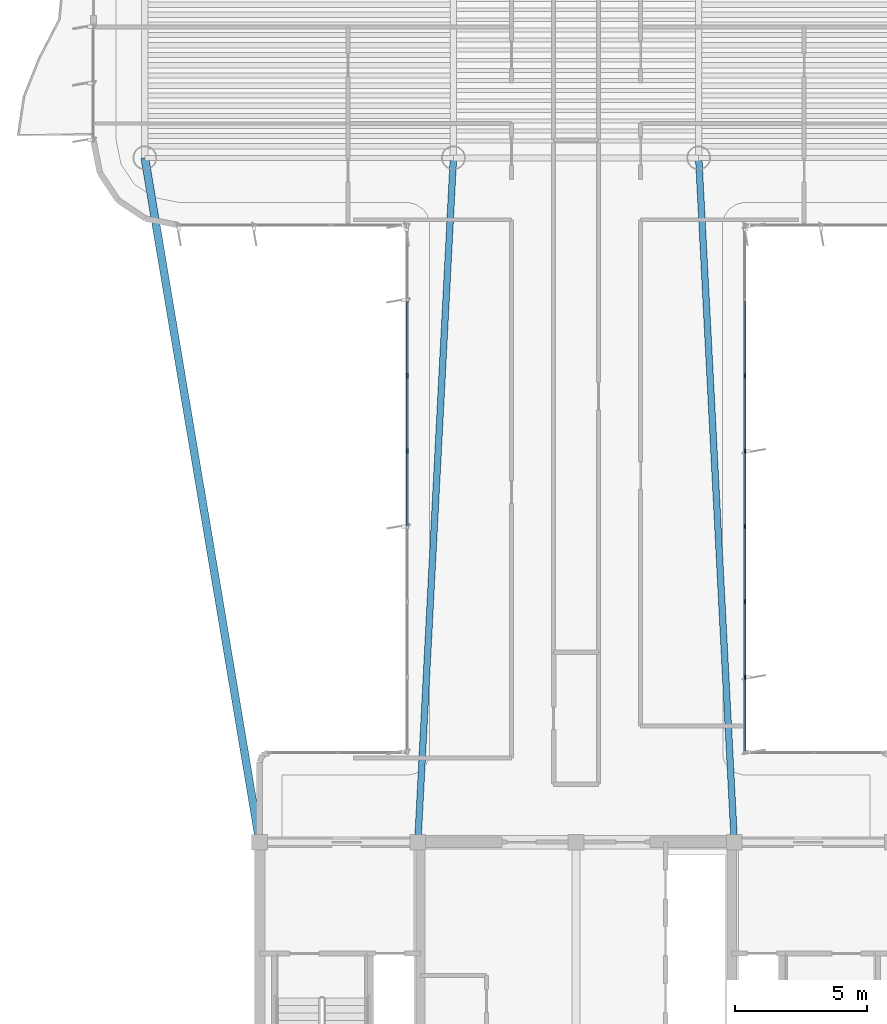
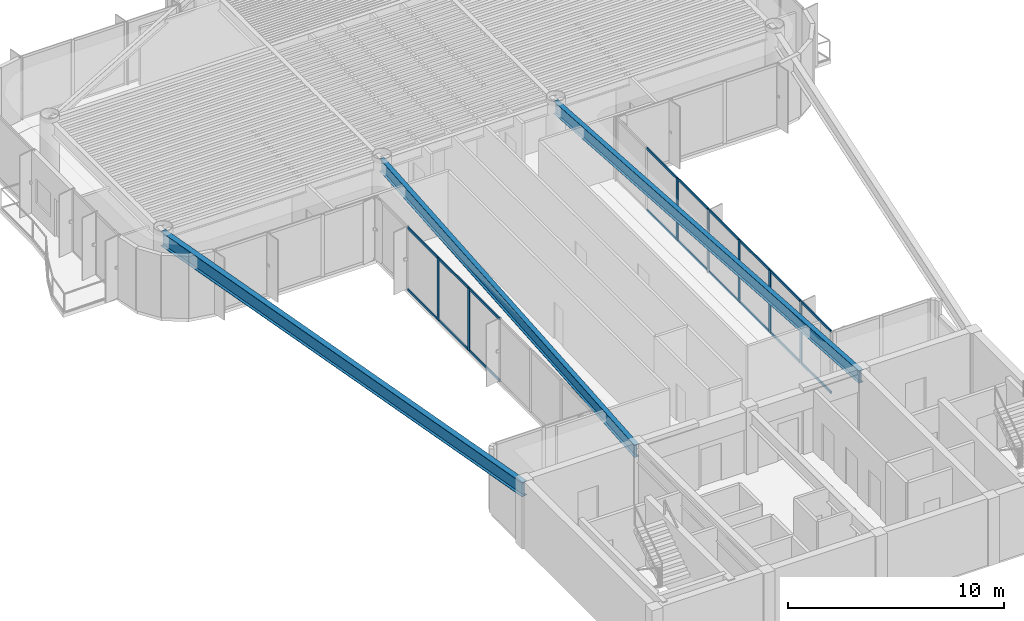
# One storey, part 3 of 15: 25 members, 3 beams, 2 elements without a shape of their own.
"""IFC4 building model written with IfcOpenShell, lengths in metres."""

from ifc_helpers import new_model, si_unit, direction, frame, origin, origin_2d, place, context, subcontext, project, spatial, rectangle, i_section, extrude, source, transform, mapped, material, layer, layer_set, material_profile, profile_set, type_object, element, aggregate, save


model = new_model("IFC4")

# Units and contexts
model_context = context("Model", 3, precision=1e-05, world=origin(), true_north=direction((0.0, 1.0)))
body_context = subcontext(model_context, "Body", "Model", "MODEL_VIEW")
ifc_project = project(units=[si_unit("LENGTHUNIT", "METRE"), si_unit("AREAUNIT", "SQUARE_METRE"), si_unit("VOLUMEUNIT", "CUBIC_METRE"), si_unit("PLANEANGLEUNIT", "RADIAN"), si_unit("MASSUNIT", "GRAM", prefix="KILO")], contexts=[model_context])

# Site, building, storey
site_placement = place(None, origin())
site = spatial("IfcSite", under=ifc_project, at=site_placement, CompositionType="ELEMENT")
building_placement = place(site_placement, origin())
building = spatial("IfcBuilding", under=site, at=building_placement, Name="Brelvock Crest Care Tower", CompositionType="ELEMENT")
storey_placement = place(building_placement, frame((0.0, 0.0, 241.919921875)))
storey = spatial("IfcBuildingStorey", under=building, at=storey_placement, Name="L61", CompositionType="ELEMENT", Elevation=241.919921875)

# Beams
ifc_material_1 = material(Name="Steel Grade 350", Category="steel")
ifc_material_profile_1 = material_profile(ifc_material_1, i_section(OverallWidth=0.25, OverallDepth=0.699951171875, WebThickness=0.011962890625, FlangeThickness=0.02001953125, at=origin_2d()), Name="700WB150")
ifc_profile_set_1 = profile_set([ifc_material_profile_1], Name="Steel Grade 350")
beam_type_1 = type_object("IfcBeamType", Name="BM-G4", PredefinedType="BEAM", material=ifc_profile_set_1)
shared_shape_1 = source(origin(), body_context, "Body", "SweptSolid", [
    extrude(i_section(OverallWidth=0.25, OverallDepth=0.699951171875, WebThickness=0.011962890625, FlangeThickness=0.02001953125, at=origin_2d()), origin(), (0.0, 0.0, 1.0), 25.985107421875),
])
for number, where, z_axis, x_axis, name in (
    (1, (30.0, 18.0, 3.18017578125), (0.051956711656, 0.998649337913, 0.0), (-0.998649337913, 0.051956711656, 0.0), "BM-THRW-L61"),
    (2, (42.0, 18.0, 3.18017578125), (-0.051956711656, 0.998649337913, 0.0), (-0.998649337913, -0.051956711656, 0.0), "BM-THRE-L61"),
):
    element("IfcBeam", number, at=place(storey_placement, frame(where, z_axis=z_axis, x_axis=x_axis)), inside=storey, type_object=beam_type_1, Name=name, PredefinedType="BEAM", context=body_context, shape_type="MappedRepresentation", body=[
        mapped(shared_shape_1, transform((0.0, 0.0, 0.0), x_axis=(1.0, 0.0, 0.0), y_axis=(0.0, 1.0, 0.0), z_axis=(0.0, 0.0, 1.0), scale=1.0)),
    ])
ifc_material_profile_2 = material_profile(ifc_material_1, i_section(OverallWidth=0.300048828125, OverallDepth=0.800048828125, WebThickness=0.013916015625, FlangeThickness=0.02197265625, at=origin_2d()), Name="800WB192")
ifc_profile_set_2 = profile_set([ifc_material_profile_2], Name="Steel Grade 350")
beam_type_2 = type_object("IfcBeamType", Name="BM-G5", PredefinedType="BEAM", material=ifc_profile_set_2)
shared_shape_2 = source(origin(), body_context, "Body", "SweptSolid", [
    extrude(i_section(OverallWidth=0.300048828125, OverallDepth=0.800048828125, WebThickness=0.013916015625, FlangeThickness=0.02197265625, at=origin_2d()), origin(), (0.0, 0.0, 1.0), 26.31201171875),
])
beam_placement = place(storey_placement, frame((24.0, 18.0, 3.130126953125), z_axis=(-0.165327282709, 0.986238758918, 0.0), x_axis=(-0.986238758918, -0.165327282709, 0.0)))
element("IfcBeam", 3, at=beam_placement, inside=storey, type_object=beam_type_2, Name="BM-THRO-W-L61", PredefinedType="BEAM", context=body_context, shape_type="MappedRepresentation", body=[
    mapped(shared_shape_2, transform((0.0, 0.0, 0.0), x_axis=(1.0, 0.0, 0.0), y_axis=(0.0, 1.0, 0.0), z_axis=(0.0, 0.0, 1.0), scale=1.0)),
])

# Curtain wall, members
ifc_material_2 = material(Name="Dark Glass Double Glazed Low-E", Category="glass")
ifc_layer = layer(ifc_material_2, 0.239990234375, Name="CWS-5")
ifc_layer_set = layer_set([ifc_layer], Name="Dark Glass Double Glazed Low-E")
curtain_wall_type = type_object("IfcCurtainWallType", Name="CWS-5", PredefinedType="NOTDEFINED", material=ifc_layer_set)
curtain_wall_1_placement = place(storey_placement, origin())
curtain_wall_1 = element("IfcCurtainWall", 4, at=curtain_wall_1_placement, inside=storey, type_object=curtain_wall_type, Name="L61 Curtain Wall E11", PredefinedType="NOTDEFINED")
ifc_material_3 = material(Name="Aluminium 6063-T6", Category="aluminium")
ifc_material_profile_3 = material_profile(ifc_material_3, rectangle(XDim=0.06005859375, YDim=0.179931640625, at=origin_2d()), Name="ALU60x180")
ifc_profile_set_3 = profile_set([ifc_material_profile_3], Name="Aluminium 6063-T6")
member_type_1 = type_object("IfcMemberType", Name="CWM-2", PredefinedType="MULLION", material=ifc_profile_set_3)
shared_shape_3 = source(origin(), body_context, "Body", "SweptSolid", [
    extrude(rectangle(XDim=0.06005859375, YDim=0.179931640625, at=origin_2d()), origin(), (0.0, 0.0, 1.0), 3.530029296875),
])
member_1_placement = place(storey_placement, frame((29.60009765625, 32.82861328125, 0.0), z_axis=(0.0, 0.0, 1.0), x_axis=(-1.0, 0.0, 0.0)))
member_1 = element("IfcMember", 5, at=member_1_placement, type_object=member_type_1, Name="CW-5 mullion 5", PredefinedType="MULLION", context=body_context, shape_type="MappedRepresentation", body=[
    mapped(shared_shape_3, transform((0.0, 0.0, 0.0), x_axis=(1.0, 0.0, 0.0), y_axis=(0.0, 1.0, 0.0), z_axis=(0.0, 0.0, 1.0), scale=1.0)),
])
member_2_placement = place(storey_placement, frame((29.60009765625, 35.685791015625, 0.0), z_axis=(0.0, 0.0, 1.0), x_axis=(-1.0, 0.0, 0.0)))
member_2 = element("IfcMember", 6, at=member_2_placement, type_object=member_type_1, Name="CW-5 mullion 6", PredefinedType="MULLION", context=body_context, shape_type="MappedRepresentation", body=[
    mapped(shared_shape_3, transform((0.0, 0.0, 0.0), x_axis=(1.0, 0.0, 0.0), y_axis=(0.0, 1.0, 0.0), z_axis=(0.0, 0.0, 1.0), scale=1.0)),
])

curtain_wall_2_placement = place(storey_placement, origin())
curtain_wall_2 = element("IfcCurtainWall", 7, at=curtain_wall_2_placement, inside=storey, type_object=curtain_wall_type, Name="L61 Curtain Wall E45", PredefinedType="NOTDEFINED")
member_3_placement = place(storey_placement, frame((42.39990234375, 35.685791015625, 0.0), z_axis=(0.0, 0.0, 1.0), x_axis=(1.0, 0.0, 0.0)))
member_3 = element("IfcMember", 8, at=member_3_placement, type_object=member_type_1, Name="CW-5 mullion 3", PredefinedType="MULLION", context=body_context, shape_type="MappedRepresentation", body=[
    mapped(shared_shape_3, transform((0.0, 0.0, 0.0), x_axis=(1.0, 0.0, 0.0), y_axis=(0.0, 1.0, 0.0), z_axis=(0.0, 0.0, 1.0), scale=1.0)),
])
member_4_placement = place(storey_placement, frame((42.39990234375, 32.82861328125, 0.0), z_axis=(0.0, 0.0, 1.0), x_axis=(1.0, 0.0, 0.0)))
member_4 = element("IfcMember", 9, at=member_4_placement, type_object=member_type_1, Name="CW-5 mullion 4", PredefinedType="MULLION", context=body_context, shape_type="MappedRepresentation", body=[
    mapped(shared_shape_3, transform((0.0, 0.0, 0.0), x_axis=(1.0, 0.0, 0.0), y_axis=(0.0, 1.0, 0.0), z_axis=(0.0, 0.0, 1.0), scale=1.0)),
])
member_5_placement = place(storey_placement, frame((42.39990234375, 29.971435546875, 0.0), z_axis=(0.0, 0.0, 1.0), x_axis=(1.0, 0.0, 0.0)))
member_5 = element("IfcMember", 10, at=member_5_placement, type_object=member_type_1, Name="CW-5 mullion 5", PredefinedType="MULLION", context=body_context, shape_type="MappedRepresentation", body=[
    mapped(shared_shape_3, transform((0.0, 0.0, 0.0), x_axis=(1.0, 0.0, 0.0), y_axis=(0.0, 1.0, 0.0), z_axis=(0.0, 0.0, 1.0), scale=1.0)),
])
member_6_placement = place(storey_placement, frame((42.39990234375, 27.1142578125, 0.0), z_axis=(0.0, 0.0, 1.0), x_axis=(1.0, 0.0, 0.0)))
member_6 = element("IfcMember", 11, at=member_6_placement, type_object=member_type_1, Name="CW-5 mullion 6", PredefinedType="MULLION", context=body_context, shape_type="MappedRepresentation", body=[
    mapped(shared_shape_3, transform((0.0, 0.0, 0.0), x_axis=(1.0, 0.0, 0.0), y_axis=(0.0, 1.0, 0.0), z_axis=(0.0, 0.0, 1.0), scale=1.0)),
])
member_7_placement = place(storey_placement, frame((42.39990234375, 24.257080078125, 0.0), z_axis=(0.0, 0.0, 1.0), x_axis=(1.0, 0.0, 0.0)))
member_7 = element("IfcMember", 12, at=member_7_placement, type_object=member_type_1, Name="CW-5 mullion 7", PredefinedType="MULLION", context=body_context, shape_type="MappedRepresentation", body=[
    mapped(shared_shape_3, transform((0.0, 0.0, 0.0), x_axis=(1.0, 0.0, 0.0), y_axis=(0.0, 1.0, 0.0), z_axis=(0.0, 0.0, 1.0), scale=1.0)),
])
ifc_material_profile_4 = material_profile(ifc_material_3, rectangle(XDim=0.06005859375, YDim=0.139892578125, at=origin_2d()), Name="ALU60x140")
ifc_profile_set_4 = profile_set([ifc_material_profile_4], Name="Aluminium 6063-T6")
member_type_2 = type_object("IfcMemberType", Name="CWT-2", PredefinedType="USERDEFINED", material=ifc_profile_set_4)
shared_shape_4 = source(origin(), body_context, "Body", "SweptSolid", [
    extrude(rectangle(XDim=0.06005859375, YDim=0.139892578125, at=origin_2d()), origin(), (0.0, 0.0, 1.0), 2.76708984375),
])
member_8_placement = place(storey_placement, frame((42.39990234375, 24.22705078125, 0.030029296875), z_axis=(0.0, -1.0, 0.0), x_axis=(1.0, 0.0, 0.0)))
member_8 = element("IfcMember", 13, at=member_8_placement, type_object=member_type_2, Name="CW-5 transom 7.1", ObjectType="TRANSOM", PredefinedType="USERDEFINED", context=body_context, shape_type="MappedRepresentation", body=[
    mapped(shared_shape_4, transform((0.0, 0.0, 0.0), x_axis=(1.0, 0.0, 0.0), y_axis=(0.0, 1.0, 0.0), z_axis=(0.0, 0.0, 1.0), scale=1.0)),
])
member_9_placement = place(storey_placement, frame((42.39990234375, 24.22705078125, 3.5), z_axis=(0.0, -1.0, 0.0), x_axis=(1.0, 0.0, 0.0)))
member_9 = element("IfcMember", 14, at=member_9_placement, type_object=member_type_2, Name="CW-5 transom 7.2", ObjectType="TRANSOM", PredefinedType="USERDEFINED", context=body_context, shape_type="MappedRepresentation", body=[
    mapped(shared_shape_4, transform((0.0, 0.0, 0.0), x_axis=(1.0, 0.0, 0.0), y_axis=(0.0, 1.0, 0.0), z_axis=(0.0, 0.0, 1.0), scale=1.0)),
])

# Member
shared_shape_5 = source(origin(), body_context, "Body", "SweptSolid", [
    extrude(rectangle(XDim=0.06005859375, YDim=0.139892578125, at=origin_2d()), origin(), (0.0, 0.0, 1.0), 2.797119140625),
])
member_10_placement = place(storey_placement, frame((29.60009765625, 30.00146484375, 0.030029296875), z_axis=(0.0, 1.0, 0.0), x_axis=(-1.0, 0.0, 0.0)))
member_10 = element("IfcMember", 15, at=member_10_placement, type_object=member_type_2, Name="CW-5 transom 4.1", ObjectType="TRANSOM", PredefinedType="USERDEFINED", context=body_context, shape_type="MappedRepresentation", body=[
    mapped(shared_shape_5, transform((0.0, 0.0, 0.0), x_axis=(1.0, 0.0, 0.0), y_axis=(0.0, 1.0, 0.0), z_axis=(0.0, 0.0, 1.0), scale=1.0)),
])

member_11_placement = place(storey_placement, frame((29.60009765625, 30.00146484375, 3.5), z_axis=(0.0, 1.0, 0.0), x_axis=(-1.0, 0.0, 0.0)))
member_11 = element("IfcMember", 16, at=member_11_placement, type_object=member_type_2, Name="CW-5 transom 4.2", ObjectType="TRANSOM", PredefinedType="USERDEFINED", context=body_context, shape_type="MappedRepresentation", body=[
    mapped(shared_shape_5, transform((0.0, 0.0, 0.0), x_axis=(1.0, 0.0, 0.0), y_axis=(0.0, 1.0, 0.0), z_axis=(0.0, 0.0, 1.0), scale=1.0)),
])

member_12_placement = place(storey_placement, frame((29.60009765625, 32.858642578125, 0.030029296875), z_axis=(0.0, 1.0, 0.0), x_axis=(-1.0, 0.0, 0.0)))
member_12 = element("IfcMember", 17, at=member_12_placement, type_object=member_type_2, Name="CW-5 transom 5.1", ObjectType="TRANSOM", PredefinedType="USERDEFINED", context=body_context, shape_type="MappedRepresentation", body=[
    mapped(shared_shape_5, transform((0.0, 0.0, 0.0), x_axis=(1.0, 0.0, 0.0), y_axis=(0.0, 1.0, 0.0), z_axis=(0.0, 0.0, 1.0), scale=1.0)),
])

member_13_placement = place(storey_placement, frame((29.60009765625, 32.858642578125, 3.5), z_axis=(0.0, 1.0, 0.0), x_axis=(-1.0, 0.0, 0.0)))
member_13 = element("IfcMember", 18, at=member_13_placement, type_object=member_type_2, Name="CW-5 transom 5.2", ObjectType="TRANSOM", PredefinedType="USERDEFINED", context=body_context, shape_type="MappedRepresentation", body=[
    mapped(shared_shape_5, transform((0.0, 0.0, 0.0), x_axis=(1.0, 0.0, 0.0), y_axis=(0.0, 1.0, 0.0), z_axis=(0.0, 0.0, 1.0), scale=1.0)),
])

member_14_placement = place(storey_placement, frame((29.60009765625, 35.7158203125, 0.030029296875), z_axis=(0.0, 1.0, 0.0), x_axis=(-1.0, 0.0, 0.0)))
member_14 = element("IfcMember", 19, at=member_14_placement, type_object=member_type_2, Name="CW-5 transom 6.1", ObjectType="TRANSOM", PredefinedType="USERDEFINED", context=body_context, shape_type="MappedRepresentation", body=[
    mapped(shared_shape_5, transform((0.0, 0.0, 0.0), x_axis=(1.0, 0.0, 0.0), y_axis=(0.0, 1.0, 0.0), z_axis=(0.0, 0.0, 1.0), scale=1.0)),
])

member_15_placement = place(storey_placement, frame((29.60009765625, 35.7158203125, 3.5), z_axis=(0.0, 1.0, 0.0), x_axis=(-1.0, 0.0, 0.0)))
member_15 = element("IfcMember", 20, at=member_15_placement, type_object=member_type_2, Name="CW-5 transom 6.2", ObjectType="TRANSOM", PredefinedType="USERDEFINED", context=body_context, shape_type="MappedRepresentation", body=[
    mapped(shared_shape_5, transform((0.0, 0.0, 0.0), x_axis=(1.0, 0.0, 0.0), y_axis=(0.0, 1.0, 0.0), z_axis=(0.0, 0.0, 1.0), scale=1.0)),
])

aggregate(curtain_wall_1, [member_1, member_2, member_10, member_11, member_12, member_13, member_14, member_15])

member_16_placement = place(storey_placement, frame((42.39990234375, 38.512939453125, 0.030029296875), z_axis=(0.0, -1.0, 0.0), x_axis=(1.0, 0.0, 0.0)))
member_16 = element("IfcMember", 21, at=member_16_placement, type_object=member_type_2, Name="CW-5 transom 2.1", ObjectType="TRANSOM", PredefinedType="USERDEFINED", context=body_context, shape_type="MappedRepresentation", body=[
    mapped(shared_shape_5, transform((0.0, 0.0, 0.0), x_axis=(1.0, 0.0, 0.0), y_axis=(0.0, 1.0, 0.0), z_axis=(0.0, 0.0, 1.0), scale=1.0)),
])

member_17_placement = place(storey_placement, frame((42.39990234375, 38.512939453125, 3.5), z_axis=(0.0, -1.0, 0.0), x_axis=(1.0, 0.0, 0.0)))
member_17 = element("IfcMember", 22, at=member_17_placement, type_object=member_type_2, Name="CW-5 transom 2.2", ObjectType="TRANSOM", PredefinedType="USERDEFINED", context=body_context, shape_type="MappedRepresentation", body=[
    mapped(shared_shape_5, transform((0.0, 0.0, 0.0), x_axis=(1.0, 0.0, 0.0), y_axis=(0.0, 1.0, 0.0), z_axis=(0.0, 0.0, 1.0), scale=1.0)),
])

member_18_placement = place(storey_placement, frame((42.39990234375, 35.65576171875, 0.030029296875), z_axis=(0.0, -1.0, 0.0), x_axis=(1.0, 0.0, 0.0)))
member_18 = element("IfcMember", 23, at=member_18_placement, type_object=member_type_2, Name="CW-5 transom 3.1", ObjectType="TRANSOM", PredefinedType="USERDEFINED", context=body_context, shape_type="MappedRepresentation", body=[
    mapped(shared_shape_5, transform((0.0, 0.0, 0.0), x_axis=(1.0, 0.0, 0.0), y_axis=(0.0, 1.0, 0.0), z_axis=(0.0, 0.0, 1.0), scale=1.0)),
])

member_19_placement = place(storey_placement, frame((42.39990234375, 35.65576171875, 3.5), z_axis=(0.0, -1.0, 0.0), x_axis=(1.0, 0.0, 0.0)))
member_19 = element("IfcMember", 24, at=member_19_placement, type_object=member_type_2, Name="CW-5 transom 3.2", ObjectType="TRANSOM", PredefinedType="USERDEFINED", context=body_context, shape_type="MappedRepresentation", body=[
    mapped(shared_shape_5, transform((0.0, 0.0, 0.0), x_axis=(1.0, 0.0, 0.0), y_axis=(0.0, 1.0, 0.0), z_axis=(0.0, 0.0, 1.0), scale=1.0)),
])

member_20_placement = place(storey_placement, frame((42.39990234375, 32.798583984375, 0.030029296875), z_axis=(0.0, -1.0, 0.0), x_axis=(1.0, 0.0, 0.0)))
member_20 = element("IfcMember", 25, at=member_20_placement, type_object=member_type_2, Name="CW-5 transom 4.1", ObjectType="TRANSOM", PredefinedType="USERDEFINED", context=body_context, shape_type="MappedRepresentation", body=[
    mapped(shared_shape_5, transform((0.0, 0.0, 0.0), x_axis=(1.0, 0.0, 0.0), y_axis=(0.0, 1.0, 0.0), z_axis=(0.0, 0.0, 1.0), scale=1.0)),
])

member_21_placement = place(storey_placement, frame((42.39990234375, 32.798583984375, 3.5), z_axis=(0.0, -1.0, 0.0), x_axis=(1.0, 0.0, 0.0)))
member_21 = element("IfcMember", 26, at=member_21_placement, type_object=member_type_2, Name="CW-5 transom 4.2", ObjectType="TRANSOM", PredefinedType="USERDEFINED", context=body_context, shape_type="MappedRepresentation", body=[
    mapped(shared_shape_5, transform((0.0, 0.0, 0.0), x_axis=(1.0, 0.0, 0.0), y_axis=(0.0, 1.0, 0.0), z_axis=(0.0, 0.0, 1.0), scale=1.0)),
])

member_22_placement = place(storey_placement, frame((42.39990234375, 29.94140625, 0.030029296875), z_axis=(0.0, -1.0, 0.0), x_axis=(1.0, 0.0, 0.0)))
member_22 = element("IfcMember", 27, at=member_22_placement, type_object=member_type_2, Name="CW-5 transom 5.1", ObjectType="TRANSOM", PredefinedType="USERDEFINED", context=body_context, shape_type="MappedRepresentation", body=[
    mapped(shared_shape_5, transform((0.0, 0.0, 0.0), x_axis=(1.0, 0.0, 0.0), y_axis=(0.0, 1.0, 0.0), z_axis=(0.0, 0.0, 1.0), scale=1.0)),
])

member_23_placement = place(storey_placement, frame((42.39990234375, 29.94140625, 3.5), z_axis=(0.0, -1.0, 0.0), x_axis=(1.0, 0.0, 0.0)))
member_23 = element("IfcMember", 28, at=member_23_placement, type_object=member_type_2, Name="CW-5 transom 5.2", ObjectType="TRANSOM", PredefinedType="USERDEFINED", context=body_context, shape_type="MappedRepresentation", body=[
    mapped(shared_shape_5, transform((0.0, 0.0, 0.0), x_axis=(1.0, 0.0, 0.0), y_axis=(0.0, 1.0, 0.0), z_axis=(0.0, 0.0, 1.0), scale=1.0)),
])

member_24_placement = place(storey_placement, frame((42.39990234375, 27.084228515625, 0.030029296875), z_axis=(0.0, -1.0, 0.0), x_axis=(1.0, 0.0, 0.0)))
member_24 = element("IfcMember", 29, at=member_24_placement, type_object=member_type_2, Name="CW-5 transom 6.1", ObjectType="TRANSOM", PredefinedType="USERDEFINED", context=body_context, shape_type="MappedRepresentation", body=[
    mapped(shared_shape_5, transform((0.0, 0.0, 0.0), x_axis=(1.0, 0.0, 0.0), y_axis=(0.0, 1.0, 0.0), z_axis=(0.0, 0.0, 1.0), scale=1.0)),
])

member_25_placement = place(storey_placement, frame((42.39990234375, 27.084228515625, 3.5), z_axis=(0.0, -1.0, 0.0), x_axis=(1.0, 0.0, 0.0)))
member_25 = element("IfcMember", 30, at=member_25_placement, type_object=member_type_2, Name="CW-5 transom 6.2", ObjectType="TRANSOM", PredefinedType="USERDEFINED", context=body_context, shape_type="MappedRepresentation", body=[
    mapped(shared_shape_5, transform((0.0, 0.0, 0.0), x_axis=(1.0, 0.0, 0.0), y_axis=(0.0, 1.0, 0.0), z_axis=(0.0, 0.0, 1.0), scale=1.0)),
])

aggregate(curtain_wall_2, [member_3, member_4, member_5, member_6, member_7, member_16, member_17, member_18, member_19, member_20, member_21, member_22, member_23, member_24, member_25, member_8, member_9])

save(model, "model.ifc")
